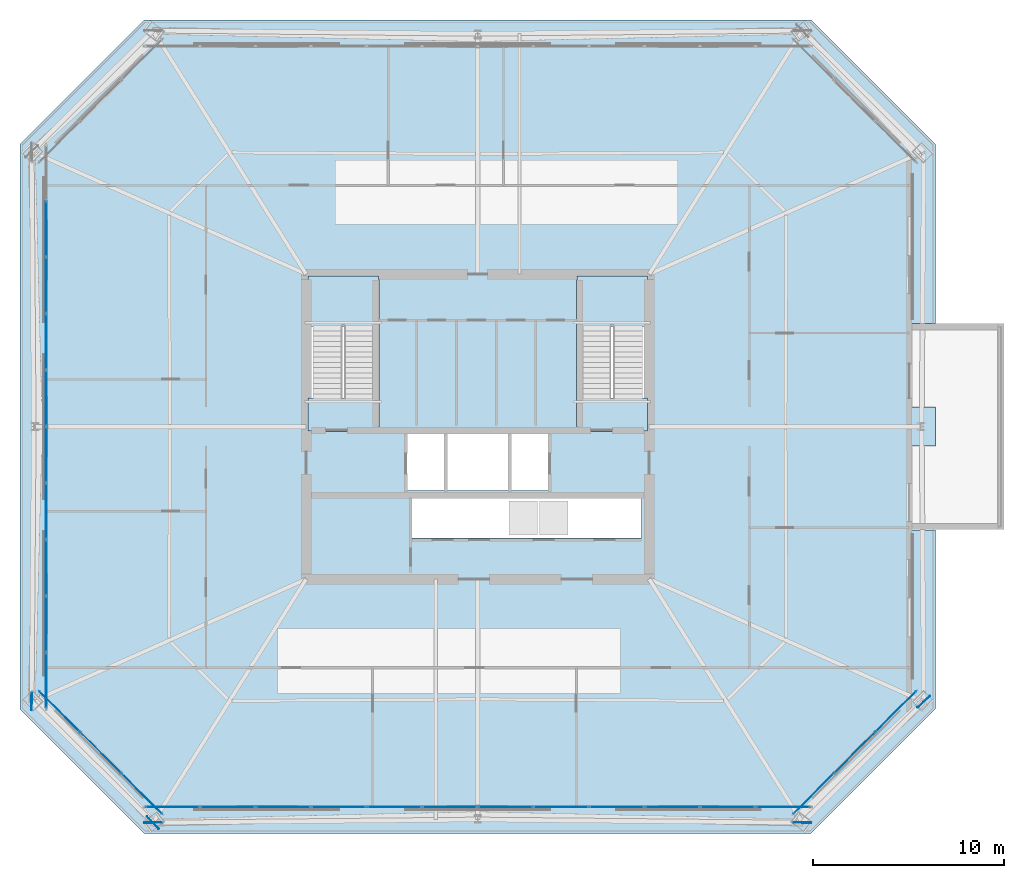
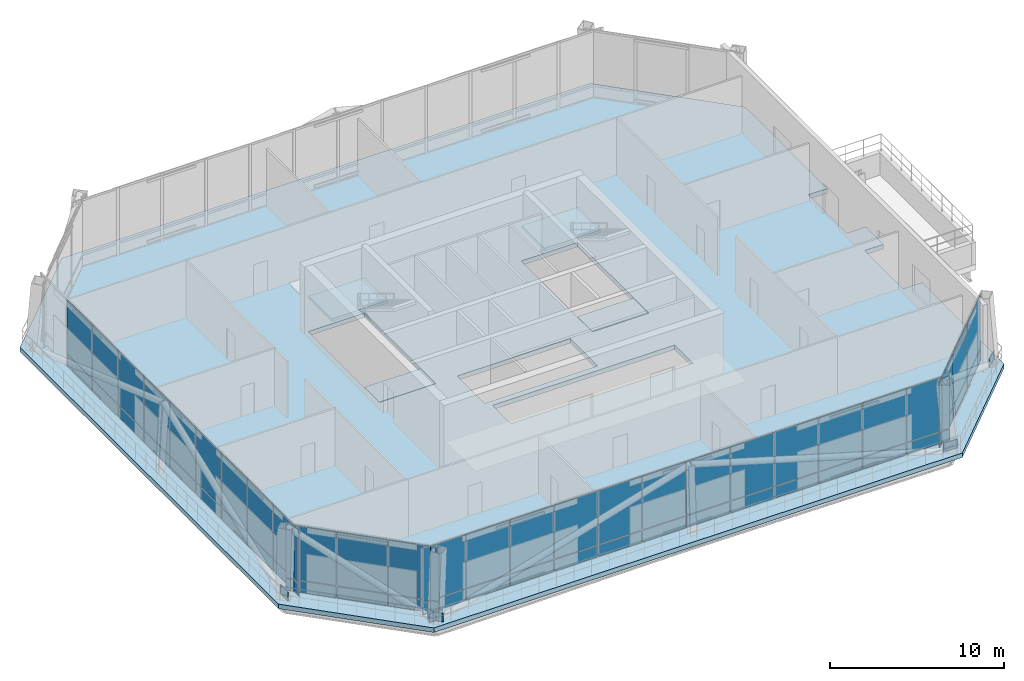
# One storey, part 26 of 34: 59 plates, 5 slabs, 6 elements without a shape of their own.
"""IFC4 building model written with IfcOpenShell, lengths in metres."""

from ifc_helpers import new_model, si_unit, direction, frame, origin, origin_2d, place, context, subcontext, project, spatial, polyline, rectangle, outline, extrude, material, layer, layer_set, type_object, element, aggregate, save


model = new_model("IFC4")

# Units and contexts
model_context = context("Model", 3, precision=1e-05, world=origin(), true_north=direction((0.0, 1.0)))
body_context = subcontext(model_context, "Body", "Model", "MODEL_VIEW")
ifc_project = project(units=[si_unit("LENGTHUNIT", "METRE"), si_unit("AREAUNIT", "SQUARE_METRE"), si_unit("VOLUMEUNIT", "CUBIC_METRE"), si_unit("PLANEANGLEUNIT", "RADIAN"), si_unit("MASSUNIT", "GRAM", prefix="KILO")], contexts=[model_context])

# Site, building, storey
site_placement = place(None, origin())
site = spatial("IfcSite", under=ifc_project, at=site_placement, CompositionType="ELEMENT")
building_placement = place(site_placement, origin())
building = spatial("IfcBuilding", under=site, at=building_placement, Name="Caelvoria Tower", CompositionType="ELEMENT")
storey_placement = place(building_placement, frame((0.0, 0.0, 172.0)))
storey = spatial("IfcBuildingStorey", under=building, at=storey_placement, Name="L45", CompositionType="ELEMENT", Elevation=172.0)

# Curtain wall, plates
ifc_material_1 = material(Name="Anodised Bronze Aluminium and Low-E Glass", Category="aluminium")
ifc_layer_1 = layer(ifc_material_1, 0.2099609375, Name="Anodised Bronze Aluminium and Low-E Glass")
ifc_layer_set_1 = layer_set([ifc_layer_1], Name="CW System 3 Sky Lobby Double-Height Acoustic Facade - Anodised Bronze Aluminium and Low-E Glass")
curtain_wall_type = type_object("IfcCurtainWallType", Name="CW System 3 Sky Lobby Double-Height Acoustic Facade", PredefinedType="NOTDEFINED", material=ifc_layer_set_1)
curtain_wall_1_placement = place(storey_placement, origin())
curtain_wall_1 = element("IfcCurtainWall", 1, at=curtain_wall_1_placement, inside=storey, type_object=curtain_wall_type, Name="CW-03 Curtain Wall L45-E0", PredefinedType="NOTDEFINED")
ifc_material_2 = material(Name="Anodised Bronze Insulated Aluminium Panel", Category="aluminium")
ifc_layer_2 = layer(ifc_material_2, 0.031982421875, Name="Anodised Bronze Insulated Aluminium Panel")
ifc_layer_set_2 = layer_set([ifc_layer_2], Name="Insulated Bronze Spandrel Curtain Panel 32 - Anodised Bronze Insulated Aluminium Panel")
plate_type_1 = type_object("IfcPlateType", Name="Insulated Bronze Spandrel Curtain Panel 32", PredefinedType="CURTAIN_PANEL", material=ifc_layer_set_2)
plate_1_placement = place(storey_placement, frame((29.975830078125, 12.0400390625, 0.06494140625), z_axis=(0.0, 0.0, 1.0), x_axis=(1.0, 0.0, 0.0)))
plate_1 = element("IfcPlate", 2, at=plate_1_placement, type_object=plate_type_1, Name="CW-03 panel 1.1", PredefinedType="CURTAIN_PANEL", context=body_context, shape_type="SweptSolid", body=[
    extrude(rectangle(XDim=2.811767578125, YDim=0.031982421875, at=origin_2d()), origin(), (0.0, 0.0, 1.0), 0.802490234375),
])
plate_2_placement = place(storey_placement, frame((29.975830078125, 12.0400390625, 0.9326171875), z_axis=(0.0, 0.0, 1.0), x_axis=(1.0, 0.0, 0.0)))
plate_2 = element("IfcPlate", 3, at=plate_2_placement, type_object=plate_type_1, Name="CW-03 panel 1.2", PredefinedType="CURTAIN_PANEL", context=body_context, shape_type="SweptSolid", body=[
    extrude(rectangle(XDim=2.811767578125, YDim=0.031982421875, at=origin_2d()), origin(), (0.0, 0.0, 1.0), 3.762451171875),
])
plate_3_placement = place(storey_placement, frame((32.875, 12.0400390625, 0.06494140625), z_axis=(0.0, 0.0, 1.0), x_axis=(1.0, 0.0, 0.0)))
plate_3 = element("IfcPlate", 4, at=plate_3_placement, type_object=plate_type_1, Name="CW-03 panel 2.1", PredefinedType="CURTAIN_PANEL", context=body_context, shape_type="SweptSolid", body=[
    extrude(rectangle(XDim=2.8466796875, YDim=0.031982421875, at=origin_2d()), origin(), (0.0, 0.0, 1.0), 0.802490234375),
])
plate_4_placement = place(storey_placement, frame((32.875, 12.0400390625, 0.9326171875), z_axis=(0.0, 0.0, 1.0), x_axis=(1.0, 0.0, 0.0)))
plate_4 = element("IfcPlate", 5, at=plate_4_placement, type_object=plate_type_1, Name="CW-03 panel 2.2", PredefinedType="CURTAIN_PANEL", context=body_context, shape_type="SweptSolid", body=[
    extrude(rectangle(XDim=2.8466796875, YDim=0.031982421875, at=origin_2d()), origin(), (0.0, 0.0, 1.0), 3.762451171875),
])
plate_5_placement = place(storey_placement, frame((35.791748046875, 12.0400390625, 0.06494140625), z_axis=(0.0, 0.0, 1.0), x_axis=(1.0, 0.0, 0.0)))
plate_5 = element("IfcPlate", 6, at=plate_5_placement, type_object=plate_type_1, Name="CW-03 panel 3.1", PredefinedType="CURTAIN_PANEL", context=body_context, shape_type="SweptSolid", body=[
    extrude(rectangle(XDim=2.8466796875, YDim=0.031982421875, at=origin_2d()), origin(), (0.0, 0.0, 1.0), 0.802490234375),
])
plate_6_placement = place(storey_placement, frame((35.791748046875, 12.0400390625, 0.9326171875), z_axis=(0.0, 0.0, 1.0), x_axis=(1.0, 0.0, 0.0)))
plate_6 = element("IfcPlate", 7, at=plate_6_placement, type_object=plate_type_1, Name="CW-03 panel 3.2", PredefinedType="CURTAIN_PANEL", context=body_context, shape_type="SweptSolid", body=[
    extrude(rectangle(XDim=2.8466796875, YDim=0.031982421875, at=origin_2d()), origin(), (0.0, 0.0, 1.0), 3.762451171875),
])
plate_7_placement = place(storey_placement, frame((38.708251953125, 12.0400390625, 0.06494140625), z_axis=(0.0, 0.0, 1.0), x_axis=(1.0, 0.0, 0.0)))
plate_7 = element("IfcPlate", 8, at=plate_7_placement, type_object=plate_type_1, Name="CW-03 panel 4.1", PredefinedType="CURTAIN_PANEL", context=body_context, shape_type="SweptSolid", body=[
    extrude(rectangle(XDim=2.8466796875, YDim=0.031982421875, at=origin_2d()), origin(), (0.0, 0.0, 1.0), 0.802490234375),
])
plate_8_placement = place(storey_placement, frame((38.708251953125, 12.0400390625, 0.9326171875), z_axis=(0.0, 0.0, 1.0), x_axis=(1.0, 0.0, 0.0)))
plate_8 = element("IfcPlate", 9, at=plate_8_placement, type_object=plate_type_1, Name="CW-03 panel 4.2", PredefinedType="CURTAIN_PANEL", context=body_context, shape_type="SweptSolid", body=[
    extrude(rectangle(XDim=2.8466796875, YDim=0.031982421875, at=origin_2d()), origin(), (0.0, 0.0, 1.0), 3.762451171875),
])
plate_9_placement = place(storey_placement, frame((41.625, 12.0400390625, 0.06494140625), z_axis=(0.0, 0.0, 1.0), x_axis=(1.0, 0.0, 0.0)))
plate_9 = element("IfcPlate", 10, at=plate_9_placement, type_object=plate_type_1, Name="CW-03 panel 5.1", PredefinedType="CURTAIN_PANEL", context=body_context, shape_type="SweptSolid", body=[
    extrude(rectangle(XDim=2.8466796875, YDim=0.031982421875, at=origin_2d()), origin(), (0.0, 0.0, 1.0), 0.802490234375),
])
plate_10_placement = place(storey_placement, frame((41.625, 12.0400390625, 0.9326171875), z_axis=(0.0, 0.0, 1.0), x_axis=(1.0, 0.0, 0.0)))
plate_10 = element("IfcPlate", 11, at=plate_10_placement, type_object=plate_type_1, Name="CW-03 panel 5.2", PredefinedType="CURTAIN_PANEL", context=body_context, shape_type="SweptSolid", body=[
    extrude(rectangle(XDim=2.8466796875, YDim=0.031982421875, at=origin_2d()), origin(), (0.0, 0.0, 1.0), 3.762451171875),
])
plate_11_placement = place(storey_placement, frame((44.541748046875, 12.0400390625, 0.06494140625), z_axis=(0.0, 0.0, 1.0), x_axis=(1.0, 0.0, 0.0)))
plate_11 = element("IfcPlate", 12, at=plate_11_placement, type_object=plate_type_1, Name="CW-03 panel 6.1", PredefinedType="CURTAIN_PANEL", context=body_context, shape_type="SweptSolid", body=[
    extrude(rectangle(XDim=2.8466796875, YDim=0.031982421875, at=origin_2d()), origin(), (0.0, 0.0, 1.0), 0.802490234375),
])
plate_12_placement = place(storey_placement, frame((44.541748046875, 12.0400390625, 0.9326171875), z_axis=(0.0, 0.0, 1.0), x_axis=(1.0, 0.0, 0.0)))
plate_12 = element("IfcPlate", 13, at=plate_12_placement, type_object=plate_type_1, Name="CW-03 panel 6.2", PredefinedType="CURTAIN_PANEL", context=body_context, shape_type="SweptSolid", body=[
    extrude(rectangle(XDim=2.8466796875, YDim=0.031982421875, at=origin_2d()), origin(), (0.0, 0.0, 1.0), 3.762451171875),
])
plate_13_placement = place(storey_placement, frame((47.458251953125, 12.0400390625, 0.06494140625), z_axis=(0.0, 0.0, 1.0), x_axis=(1.0, 0.0, 0.0)))
plate_13 = element("IfcPlate", 14, at=plate_13_placement, type_object=plate_type_1, Name="CW-03 panel 7.1", PredefinedType="CURTAIN_PANEL", context=body_context, shape_type="SweptSolid", body=[
    extrude(rectangle(XDim=2.8466796875, YDim=0.031982421875, at=origin_2d()), origin(), (0.0, 0.0, 1.0), 0.802490234375),
])
plate_14_placement = place(storey_placement, frame((47.458251953125, 12.0400390625, 0.9326171875), z_axis=(0.0, 0.0, 1.0), x_axis=(1.0, 0.0, 0.0)))
plate_14 = element("IfcPlate", 15, at=plate_14_placement, type_object=plate_type_1, Name="CW-03 panel 7.2", PredefinedType="CURTAIN_PANEL", context=body_context, shape_type="SweptSolid", body=[
    extrude(rectangle(XDim=2.8466796875, YDim=0.031982421875, at=origin_2d()), origin(), (0.0, 0.0, 1.0), 3.762451171875),
])
plate_15_placement = place(storey_placement, frame((50.375, 12.0400390625, 0.06494140625), z_axis=(0.0, 0.0, 1.0), x_axis=(1.0, 0.0, 0.0)))
plate_15 = element("IfcPlate", 16, at=plate_15_placement, type_object=plate_type_1, Name="CW-03 panel 8.1", PredefinedType="CURTAIN_PANEL", context=body_context, shape_type="SweptSolid", body=[
    extrude(rectangle(XDim=2.8466796875, YDim=0.031982421875, at=origin_2d()), origin(), (0.0, 0.0, 1.0), 0.802490234375),
])
plate_16_placement = place(storey_placement, frame((50.375, 12.0400390625, 0.9326171875), z_axis=(0.0, 0.0, 1.0), x_axis=(1.0, 0.0, 0.0)))
plate_16 = element("IfcPlate", 17, at=plate_16_placement, type_object=plate_type_1, Name="CW-03 panel 8.2", PredefinedType="CURTAIN_PANEL", context=body_context, shape_type="SweptSolid", body=[
    extrude(rectangle(XDim=2.8466796875, YDim=0.031982421875, at=origin_2d()), origin(), (0.0, 0.0, 1.0), 3.762451171875),
])
plate_17_placement = place(storey_placement, frame((53.291748046875, 12.0400390625, 0.06494140625), z_axis=(0.0, 0.0, 1.0), x_axis=(1.0, 0.0, 0.0)))
plate_17 = element("IfcPlate", 18, at=plate_17_placement, type_object=plate_type_1, Name="CW-03 panel 9.1", PredefinedType="CURTAIN_PANEL", context=body_context, shape_type="SweptSolid", body=[
    extrude(rectangle(XDim=2.8466796875, YDim=0.031982421875, at=origin_2d()), origin(), (0.0, 0.0, 1.0), 0.802490234375),
])
plate_18_placement = place(storey_placement, frame((53.291748046875, 12.0400390625, 0.9326171875), z_axis=(0.0, 0.0, 1.0), x_axis=(1.0, 0.0, 0.0)))
plate_18 = element("IfcPlate", 19, at=plate_18_placement, type_object=plate_type_1, Name="CW-03 panel 9.2", PredefinedType="CURTAIN_PANEL", context=body_context, shape_type="SweptSolid", body=[
    extrude(rectangle(XDim=2.8466796875, YDim=0.031982421875, at=origin_2d()), origin(), (0.0, 0.0, 1.0), 3.762451171875),
])
plate_19_placement = place(storey_placement, frame((56.208251953125, 12.0400390625, 0.06494140625), z_axis=(0.0, 0.0, 1.0), x_axis=(1.0, 0.0, 0.0)))
plate_19 = element("IfcPlate", 20, at=plate_19_placement, type_object=plate_type_1, Name="CW-03 panel 10.1", PredefinedType="CURTAIN_PANEL", context=body_context, shape_type="SweptSolid", body=[
    extrude(rectangle(XDim=2.8466796875, YDim=0.031982421875, at=origin_2d()), origin(), (0.0, 0.0, 1.0), 0.802490234375),
])
plate_20_placement = place(storey_placement, frame((56.208251953125, 12.0400390625, 0.9326171875), z_axis=(0.0, 0.0, 1.0), x_axis=(1.0, 0.0, 0.0)))
plate_20 = element("IfcPlate", 21, at=plate_20_placement, type_object=plate_type_1, Name="CW-03 panel 10.2", PredefinedType="CURTAIN_PANEL", context=body_context, shape_type="SweptSolid", body=[
    extrude(rectangle(XDim=2.8466796875, YDim=0.031982421875, at=origin_2d()), origin(), (0.0, 0.0, 1.0), 3.762451171875),
])
plate_21_placement = place(storey_placement, frame((59.125, 12.0400390625, 0.06494140625), z_axis=(0.0, 0.0, 1.0), x_axis=(1.0, 0.0, 0.0)))
plate_21 = element("IfcPlate", 22, at=plate_21_placement, type_object=plate_type_1, Name="CW-03 panel 11.1", PredefinedType="CURTAIN_PANEL", context=body_context, shape_type="SweptSolid", body=[
    extrude(rectangle(XDim=2.8466796875, YDim=0.031982421875, at=origin_2d()), origin(), (0.0, 0.0, 1.0), 0.802490234375),
])
plate_22_placement = place(storey_placement, frame((59.125, 12.0400390625, 0.9326171875), z_axis=(0.0, 0.0, 1.0), x_axis=(1.0, 0.0, 0.0)))
plate_22 = element("IfcPlate", 23, at=plate_22_placement, type_object=plate_type_1, Name="CW-03 panel 11.2", PredefinedType="CURTAIN_PANEL", context=body_context, shape_type="SweptSolid", body=[
    extrude(rectangle(XDim=2.8466796875, YDim=0.031982421875, at=origin_2d()), origin(), (0.0, 0.0, 1.0), 3.762451171875),
])
plate_23_placement = place(storey_placement, frame((62.024169921875, 12.0400390625, 0.06494140625), z_axis=(0.0, 0.0, 1.0), x_axis=(1.0, 0.0, 0.0)))
plate_23 = element("IfcPlate", 24, at=plate_23_placement, type_object=plate_type_1, Name="CW-03 panel 12.1", PredefinedType="CURTAIN_PANEL", context=body_context, shape_type="SweptSolid", body=[
    extrude(rectangle(XDim=2.811767578125, YDim=0.031982421875, at=origin_2d()), origin(), (0.0, 0.0, 1.0), 0.802490234375),
])
plate_24_placement = place(storey_placement, frame((62.024169921875, 12.0400390625, 0.9326171875), z_axis=(0.0, 0.0, 1.0), x_axis=(1.0, 0.0, 0.0)))
plate_24 = element("IfcPlate", 25, at=plate_24_placement, type_object=plate_type_1, Name="CW-03 panel 12.2", PredefinedType="CURTAIN_PANEL", context=body_context, shape_type="SweptSolid", body=[
    extrude(rectangle(XDim=2.811767578125, YDim=0.031982421875, at=origin_2d()), origin(), (0.0, 0.0, 1.0), 3.762451171875),
])
aggregate(curtain_wall_1, [plate_1, plate_2, plate_3, plate_4, plate_5, plate_6, plate_7, plate_8, plate_9, plate_10, plate_11, plate_12, plate_13, plate_14, plate_15, plate_16, plate_17, plate_18, plate_19, plate_20, plate_21, plate_22, plate_23, plate_24])

curtain_wall_2_placement = place(storey_placement, origin())
curtain_wall_2 = element("IfcCurtainWall", 26, at=curtain_wall_2_placement, inside=storey, type_object=curtain_wall_type, Name="CW-03 Curtain Wall L45-E1", PredefinedType="NOTDEFINED")
plate_25_placement = place(storey_placement, frame((63.623291015625, 12.73486328125, 0.06494140625), z_axis=(0.0, 0.0, 1.0), x_axis=(0.707106781187, 0.707106781187, 0.0)))
plate_25 = element("IfcPlate", 27, at=plate_25_placement, type_object=plate_type_1, Name="CW-03 panel 1.1", PredefinedType="CURTAIN_PANEL", context=body_context, shape_type="SweptSolid", body=[
    extrude(rectangle(XDim=2.968505859375, YDim=0.031982421875, at=origin_2d()), origin(), (0.0, 0.0, 1.0), 0.802490234375),
])
plate_26_placement = place(storey_placement, frame((63.623291015625, 12.73486328125, 0.9326171875), z_axis=(0.0, 0.0, 1.0), x_axis=(0.707106781187, 0.707106781187, 0.0)))
plate_26 = element("IfcPlate", 28, at=plate_26_placement, type_object=plate_type_1, Name="CW-03 panel 1.2", PredefinedType="CURTAIN_PANEL", context=body_context, shape_type="SweptSolid", body=[
    extrude(rectangle(XDim=2.968505859375, YDim=0.031982421875, at=origin_2d()), origin(), (0.0, 0.0, 1.0), 3.762451171875),
])
plate_27_placement = place(storey_placement, frame((65.7841796875, 14.895751953125, 0.06494140625), z_axis=(0.0, 0.0, 1.0), x_axis=(0.707106781187, 0.707106781187, 0.0)))
plate_27 = element("IfcPlate", 29, at=plate_27_placement, type_object=plate_type_1, Name="CW-03 panel 2.1", PredefinedType="CURTAIN_PANEL", context=body_context, shape_type="SweptSolid", body=[
    extrude(rectangle(XDim=3.003662109375, YDim=0.031982421875, at=origin_2d()), origin(), (0.0, 0.0, 1.0), 0.802490234375),
])
plate_28_placement = place(storey_placement, frame((65.7841796875, 14.895751953125, 0.9326171875), z_axis=(0.0, 0.0, 1.0), x_axis=(0.707106781187, 0.707106781187, 0.0)))
plate_28 = element("IfcPlate", 30, at=plate_28_placement, type_object=plate_type_1, Name="CW-03 panel 2.2", PredefinedType="CURTAIN_PANEL", context=body_context, shape_type="SweptSolid", body=[
    extrude(rectangle(XDim=3.003662109375, YDim=0.031982421875, at=origin_2d()), origin(), (0.0, 0.0, 1.0), 3.762451171875),
])
plate_29_placement = place(storey_placement, frame((67.945068359375, 17.056640625, 0.06494140625), z_axis=(0.0, 0.0, 1.0), x_axis=(0.707106781187, 0.707106781187, 0.0)))
plate_29 = element("IfcPlate", 31, at=plate_29_placement, type_object=plate_type_1, Name="CW-03 panel 3.1", PredefinedType="CURTAIN_PANEL", context=body_context, shape_type="SweptSolid", body=[
    extrude(rectangle(XDim=2.968505859375, YDim=0.031982421875, at=origin_2d()), origin(), (0.0, 0.0, 1.0), 0.802490234375),
])
plate_30_placement = place(storey_placement, frame((67.945068359375, 17.056640625, 0.9326171875), z_axis=(0.0, 0.0, 1.0), x_axis=(0.707106781187, 0.707106781187, 0.0)))
plate_30 = element("IfcPlate", 32, at=plate_30_placement, type_object=plate_type_1, Name="CW-03 panel 3.2", PredefinedType="CURTAIN_PANEL", context=body_context, shape_type="SweptSolid", body=[
    extrude(rectangle(XDim=2.968505859375, YDim=0.031982421875, at=origin_2d()), origin(), (0.0, 0.0, 1.0), 3.762451171875),
])
aggregate(curtain_wall_2, [plate_25, plate_26, plate_27, plate_28, plate_29, plate_30])

curtain_wall_3_placement = place(storey_placement, origin())
curtain_wall_3 = element("IfcCurtainWall", 33, at=curtain_wall_3_placement, inside=storey, type_object=curtain_wall_type, Name="CW-03 Curtain Wall L45-E6", PredefinedType="NOTDEFINED")
plate_31_placement = place(storey_placement, frame((23.360107421875, 42.3740234375, 0.06494140625), z_axis=(0.0, 0.0, 1.0), x_axis=(0.0, -1.0, 0.0)))
plate_31 = element("IfcPlate", 34, at=plate_31_placement, type_object=plate_type_1, Name="CW-03 panel 2.1", PredefinedType="CURTAIN_PANEL", context=body_context, shape_type="SweptSolid", body=[
    extrude(rectangle(XDim=2.89404296875, YDim=0.031982421875, at=origin_2d()), origin(), (0.0, 0.0, 1.0), 0.802490234375),
])
plate_32_placement = place(storey_placement, frame((23.360107421875, 42.3740234375, 0.9326171875), z_axis=(0.0, 0.0, 1.0), x_axis=(0.0, -1.0, 0.0)))
plate_32 = element("IfcPlate", 35, at=plate_32_placement, type_object=plate_type_1, Name="CW-03 panel 2.2", PredefinedType="CURTAIN_PANEL", context=body_context, shape_type="SweptSolid", body=[
    extrude(rectangle(XDim=2.89404296875, YDim=0.031982421875, at=origin_2d()), origin(), (0.0, 0.0, 1.0), 3.762451171875),
])
plate_33_placement = place(storey_placement, frame((23.360107421875, 39.409912109375, 0.06494140625), z_axis=(0.0, 0.0, 1.0), x_axis=(0.0, -1.0, 0.0)))
plate_33 = element("IfcPlate", 36, at=plate_33_placement, type_object=plate_type_1, Name="CW-03 panel 3.1", PredefinedType="CURTAIN_PANEL", context=body_context, shape_type="SweptSolid", body=[
    extrude(rectangle(XDim=2.89404296875, YDim=0.031982421875, at=origin_2d()), origin(), (0.0, 0.0, 1.0), 0.802490234375),
])
plate_34_placement = place(storey_placement, frame((23.360107421875, 39.409912109375, 0.9326171875), z_axis=(0.0, 0.0, 1.0), x_axis=(0.0, -1.0, 0.0)))
plate_34 = element("IfcPlate", 37, at=plate_34_placement, type_object=plate_type_1, Name="CW-03 panel 3.2", PredefinedType="CURTAIN_PANEL", context=body_context, shape_type="SweptSolid", body=[
    extrude(rectangle(XDim=2.89404296875, YDim=0.031982421875, at=origin_2d()), origin(), (0.0, 0.0, 1.0), 3.762451171875),
])
plate_35_placement = place(storey_placement, frame((23.360107421875, 36.446044921875, 0.06494140625), z_axis=(0.0, 0.0, 1.0), x_axis=(0.0, -1.0, 0.0)))
plate_35 = element("IfcPlate", 38, at=plate_35_placement, type_object=plate_type_1, Name="CW-03 panel 4.1", PredefinedType="CURTAIN_PANEL", context=body_context, shape_type="SweptSolid", body=[
    extrude(rectangle(XDim=2.89404296875, YDim=0.031982421875, at=origin_2d()), origin(), (0.0, 0.0, 1.0), 0.802490234375),
])
plate_36_placement = place(storey_placement, frame((23.360107421875, 36.446044921875, 0.9326171875), z_axis=(0.0, 0.0, 1.0), x_axis=(0.0, -1.0, 0.0)))
plate_36 = element("IfcPlate", 39, at=plate_36_placement, type_object=plate_type_1, Name="CW-03 panel 4.2", PredefinedType="CURTAIN_PANEL", context=body_context, shape_type="SweptSolid", body=[
    extrude(rectangle(XDim=2.89404296875, YDim=0.031982421875, at=origin_2d()), origin(), (0.0, 0.0, 1.0), 3.762451171875),
])
plate_37_placement = place(storey_placement, frame((23.360107421875, 33.48193359375, 0.06494140625), z_axis=(0.0, 0.0, 1.0), x_axis=(0.0, -1.0, 0.0)))
plate_37 = element("IfcPlate", 40, at=plate_37_placement, type_object=plate_type_1, Name="CW-03 panel 5.1", PredefinedType="CURTAIN_PANEL", context=body_context, shape_type="SweptSolid", body=[
    extrude(rectangle(XDim=2.89404296875, YDim=0.031982421875, at=origin_2d()), origin(), (0.0, 0.0, 1.0), 0.802490234375),
])
plate_38_placement = place(storey_placement, frame((23.360107421875, 33.48193359375, 0.9326171875), z_axis=(0.0, 0.0, 1.0), x_axis=(0.0, -1.0, 0.0)))
plate_38 = element("IfcPlate", 41, at=plate_38_placement, type_object=plate_type_1, Name="CW-03 panel 5.2", PredefinedType="CURTAIN_PANEL", context=body_context, shape_type="SweptSolid", body=[
    extrude(rectangle(XDim=2.89404296875, YDim=0.031982421875, at=origin_2d()), origin(), (0.0, 0.0, 1.0), 3.762451171875),
])
plate_39_placement = place(storey_placement, frame((23.360107421875, 30.51806640625, 0.06494140625), z_axis=(0.0, 0.0, 1.0), x_axis=(0.0, -1.0, 0.0)))
plate_39 = element("IfcPlate", 42, at=plate_39_placement, type_object=plate_type_1, Name="CW-03 panel 6.1", PredefinedType="CURTAIN_PANEL", context=body_context, shape_type="SweptSolid", body=[
    extrude(rectangle(XDim=2.89404296875, YDim=0.031982421875, at=origin_2d()), origin(), (0.0, 0.0, 1.0), 0.802490234375),
])
plate_40_placement = place(storey_placement, frame((23.360107421875, 30.51806640625, 0.9326171875), z_axis=(0.0, 0.0, 1.0), x_axis=(0.0, -1.0, 0.0)))
plate_40 = element("IfcPlate", 43, at=plate_40_placement, type_object=plate_type_1, Name="CW-03 panel 6.2", PredefinedType="CURTAIN_PANEL", context=body_context, shape_type="SweptSolid", body=[
    extrude(rectangle(XDim=2.89404296875, YDim=0.031982421875, at=origin_2d()), origin(), (0.0, 0.0, 1.0), 3.762451171875),
])
plate_41_placement = place(storey_placement, frame((23.360107421875, 27.553955078125, 0.06494140625), z_axis=(0.0, 0.0, 1.0), x_axis=(0.0, -1.0, 0.0)))
plate_41 = element("IfcPlate", 44, at=plate_41_placement, type_object=plate_type_1, Name="CW-03 panel 7.1", PredefinedType="CURTAIN_PANEL", context=body_context, shape_type="SweptSolid", body=[
    extrude(rectangle(XDim=2.89404296875, YDim=0.031982421875, at=origin_2d()), origin(), (0.0, 0.0, 1.0), 0.802490234375),
])
plate_42_placement = place(storey_placement, frame((23.360107421875, 27.553955078125, 0.9326171875), z_axis=(0.0, 0.0, 1.0), x_axis=(0.0, -1.0, 0.0)))
plate_42 = element("IfcPlate", 45, at=plate_42_placement, type_object=plate_type_1, Name="CW-03 panel 7.2", PredefinedType="CURTAIN_PANEL", context=body_context, shape_type="SweptSolid", body=[
    extrude(rectangle(XDim=2.89404296875, YDim=0.031982421875, at=origin_2d()), origin(), (0.0, 0.0, 1.0), 3.762451171875),
])
plate_43_placement = place(storey_placement, frame((23.360107421875, 24.590087890625, 0.06494140625), z_axis=(0.0, 0.0, 1.0), x_axis=(0.0, -1.0, 0.0)))
plate_43 = element("IfcPlate", 46, at=plate_43_placement, type_object=plate_type_1, Name="CW-03 panel 8.1", PredefinedType="CURTAIN_PANEL", context=body_context, shape_type="SweptSolid", body=[
    extrude(rectangle(XDim=2.89404296875, YDim=0.031982421875, at=origin_2d()), origin(), (0.0, 0.0, 1.0), 0.802490234375),
])
plate_44_placement = place(storey_placement, frame((23.360107421875, 24.590087890625, 0.9326171875), z_axis=(0.0, 0.0, 1.0), x_axis=(0.0, -1.0, 0.0)))
plate_44 = element("IfcPlate", 47, at=plate_44_placement, type_object=plate_type_1, Name="CW-03 panel 8.2", PredefinedType="CURTAIN_PANEL", context=body_context, shape_type="SweptSolid", body=[
    extrude(rectangle(XDim=2.89404296875, YDim=0.031982421875, at=origin_2d()), origin(), (0.0, 0.0, 1.0), 3.762451171875),
])
plate_45_placement = place(storey_placement, frame((23.360107421875, 21.6259765625, 0.06494140625), z_axis=(0.0, 0.0, 1.0), x_axis=(0.0, -1.0, 0.0)))
plate_45 = element("IfcPlate", 48, at=plate_45_placement, type_object=plate_type_1, Name="CW-03 panel 9.1", PredefinedType="CURTAIN_PANEL", context=body_context, shape_type="SweptSolid", body=[
    extrude(rectangle(XDim=2.89404296875, YDim=0.031982421875, at=origin_2d()), origin(), (0.0, 0.0, 1.0), 0.802490234375),
])
plate_46_placement = place(storey_placement, frame((23.360107421875, 21.6259765625, 0.9326171875), z_axis=(0.0, 0.0, 1.0), x_axis=(0.0, -1.0, 0.0)))
plate_46 = element("IfcPlate", 49, at=plate_46_placement, type_object=plate_type_1, Name="CW-03 panel 9.2", PredefinedType="CURTAIN_PANEL", context=body_context, shape_type="SweptSolid", body=[
    extrude(rectangle(XDim=2.89404296875, YDim=0.031982421875, at=origin_2d()), origin(), (0.0, 0.0, 1.0), 3.762451171875),
])
plate_47_placement = place(storey_placement, frame((23.360107421875, 18.679443359375, 0.06494140625), z_axis=(0.0, 0.0, 1.0), x_axis=(0.0, -1.0, 0.0)))
plate_47 = element("IfcPlate", 50, at=plate_47_placement, type_object=plate_type_1, Name="CW-03 panel 10.1", PredefinedType="CURTAIN_PANEL", context=body_context, shape_type="SweptSolid", body=[
    extrude(rectangle(XDim=2.85888671875, YDim=0.031982421875, at=origin_2d()), origin(), (0.0, 0.0, 1.0), 0.802490234375),
])
plate_48_placement = place(storey_placement, frame((23.360107421875, 18.679443359375, 0.9326171875), z_axis=(0.0, 0.0, 1.0), x_axis=(0.0, -1.0, 0.0)))
plate_48 = element("IfcPlate", 51, at=plate_48_placement, type_object=plate_type_1, Name="CW-03 panel 10.2", PredefinedType="CURTAIN_PANEL", context=body_context, shape_type="SweptSolid", body=[
    extrude(rectangle(XDim=2.85888671875, YDim=0.031982421875, at=origin_2d()), origin(), (0.0, 0.0, 1.0), 3.762451171875),
])
aggregate(curtain_wall_3, [plate_31, plate_32, plate_33, plate_34, plate_35, plate_36, plate_37, plate_38, plate_39, plate_40, plate_41, plate_42, plate_43, plate_44, plate_45, plate_46, plate_47, plate_48])

curtain_wall_4_placement = place(storey_placement, origin())
curtain_wall_4 = element("IfcCurtainWall", 52, at=curtain_wall_4_placement, inside=storey, type_object=curtain_wall_type, Name="CW-03 Curtain Wall L45-E7", PredefinedType="NOTDEFINED")
plate_49_placement = place(storey_placement, frame((24.054931640625, 17.056640625, 0.06494140625), z_axis=(0.0, 0.0, 1.0), x_axis=(0.707106781187, -0.707106781187, 0.0)))
plate_49 = element("IfcPlate", 53, at=plate_49_placement, type_object=plate_type_1, Name="CW-03 panel 1.1", PredefinedType="CURTAIN_PANEL", context=body_context, shape_type="SweptSolid", body=[
    extrude(rectangle(XDim=2.968505859375, YDim=0.031982421875, at=origin_2d()), origin(), (0.0, 0.0, 1.0), 0.802490234375),
])
plate_50_placement = place(storey_placement, frame((24.054931640625, 17.056640625, 0.9326171875), z_axis=(0.0, 0.0, 1.0), x_axis=(0.707106781187, -0.707106781187, 0.0)))
plate_50 = element("IfcPlate", 54, at=plate_50_placement, type_object=plate_type_1, Name="CW-03 panel 1.2", PredefinedType="CURTAIN_PANEL", context=body_context, shape_type="SweptSolid", body=[
    extrude(rectangle(XDim=2.968505859375, YDim=0.031982421875, at=origin_2d()), origin(), (0.0, 0.0, 1.0), 3.762451171875),
])
plate_51_placement = place(storey_placement, frame((26.2158203125, 14.895751953125, 0.06494140625), z_axis=(0.0, 0.0, 1.0), x_axis=(0.707106781187, -0.707106781187, 0.0)))
plate_51 = element("IfcPlate", 55, at=plate_51_placement, type_object=plate_type_1, Name="CW-03 panel 2.1", PredefinedType="CURTAIN_PANEL", context=body_context, shape_type="SweptSolid", body=[
    extrude(rectangle(XDim=3.003662109375, YDim=0.031982421875, at=origin_2d()), origin(), (0.0, 0.0, 1.0), 0.802490234375),
])
plate_52_placement = place(storey_placement, frame((26.2158203125, 14.895751953125, 0.9326171875), z_axis=(0.0, 0.0, 1.0), x_axis=(0.707106781187, -0.707106781187, 0.0)))
plate_52 = element("IfcPlate", 56, at=plate_52_placement, type_object=plate_type_1, Name="CW-03 panel 2.2", PredefinedType="CURTAIN_PANEL", context=body_context, shape_type="SweptSolid", body=[
    extrude(rectangle(XDim=3.003662109375, YDim=0.031982421875, at=origin_2d()), origin(), (0.0, 0.0, 1.0), 3.762451171875),
])
plate_53_placement = place(storey_placement, frame((28.376708984375, 12.73486328125, 0.06494140625), z_axis=(0.0, 0.0, 1.0), x_axis=(0.707106781187, -0.707106781187, 0.0)))
plate_53 = element("IfcPlate", 57, at=plate_53_placement, type_object=plate_type_1, Name="CW-03 panel 3.1", PredefinedType="CURTAIN_PANEL", context=body_context, shape_type="SweptSolid", body=[
    extrude(rectangle(XDim=2.968505859375, YDim=0.031982421875, at=origin_2d()), origin(), (0.0, 0.0, 1.0), 0.802490234375),
])
plate_54_placement = place(storey_placement, frame((28.376708984375, 12.73486328125, 0.9326171875), z_axis=(0.0, 0.0, 1.0), x_axis=(0.707106781187, -0.707106781187, 0.0)))
plate_54 = element("IfcPlate", 58, at=plate_54_placement, type_object=plate_type_1, Name="CW-03 panel 3.2", PredefinedType="CURTAIN_PANEL", context=body_context, shape_type="SweptSolid", body=[
    extrude(rectangle(XDim=2.968505859375, YDim=0.031982421875, at=origin_2d()), origin(), (0.0, 0.0, 1.0), 3.762451171875),
])
aggregate(curtain_wall_4, [plate_49, plate_50, plate_51, plate_52, plate_53, plate_54])

# Plates
ifc_material_3 = material(Name="Structural Steel ASTM A572 Gr.50", Category="steel")
ifc_layer_3 = layer(ifc_material_3, 0.0400390625, Name="Structural Steel ASTM A572 Gr.50")
ifc_layer_set_3 = layer_set([ifc_layer_3], Name="Megaframe Node Gusset Plate 900x600x40 - Structural Steel ASTM A572 Gr.50")
plate_type_2 = type_object("IfcPlateType", Name="Megaframe Node Gusset Plate 900x600x40", PredefinedType="USERDEFINED", material=ifc_layer_set_3)
for number, where, z_axis, x_axis, name in (
    (59, (69.4072265625, 17.55810546875, 0.02001953125), (0.0, 0.0, 1.0), (-0.73643486763, -0.676508452082, 0.0), "Chamfer Mega Brace Gusset L45 SE"),
    (60, (28.95654296875, 11.216796875, 0.02001953125), (0.0, 0.0, 1.0), (-0.678931461501, 0.734201655259, 0.0), "Chamfer Mega Brace Gusset L45 SW"),
    (61, (28.95654296875, 11.216796875, 0.050048828125), (0.0, 0.0, 1.0), (0.999747221312, 0.022483182139, 0.0), "Megaframe Node Gusset Plate ND-04"),
    (62, (63.04345703125, 11.216796875, 0.050048828125), (0.0, 0.0, 1.0), (-0.999747221312, 0.022483182139, 0.0), "Megaframe Node Gusset Plate ND-04"),
    (63, (22.5927734375, 17.55810546875, 0.050048828125), (0.0, 0.0, 1.0), (0.025417982777, 0.999676910882, 0.0), "Megaframe Node Gusset Plate ND-04"),
):
    element("IfcPlate", number, at=place(storey_placement, frame(where, z_axis=z_axis, x_axis=x_axis)), inside=storey, type_object=plate_type_2, Name=name, ObjectType="GUSSET_PLATE", PredefinedType="USERDEFINED", context=body_context, shape_type="SweptSolid", body=[
        extrude(rectangle(XDim=0.89990234375, YDim=0.0400390625, at=origin_2d()), origin(), (0.0, 0.0, 1.0), 0.60009765625),
    ])

# Slab
ifc_material_4 = material(Name="Concrete C50/60", Category="concrete")
ifc_layer_4 = layer(ifc_material_4, 0.320068359375, Name="Concrete C50/60")
ifc_layer_set_4 = layer_set([ifc_layer_4], Name="Plant and Sky Lobby Heavy Slab 320 - Concrete C50/60")
slab_type_1 = type_object("IfcSlabType", Name="Plant and Sky Lobby Heavy Slab 320", PredefinedType="FLOOR", material=ifc_layer_set_4)
slab_1_placement = place(storey_placement, frame((0.0, 0.0, -0.320068359375)))
element("IfcSlab", 64, at=slab_1_placement, inside=storey, type_object=slab_type_1, Name="Level L45 Structural Floor Slab", PredefinedType="FLOOR", context=body_context, shape_type="SweptSolid", body=[
    extrude(outline(polyline([(70.02001953125, 17.179931640625), (70.02001953125, 26.580078125), (68.760009765625, 26.580078125), (68.760009765625, 30.97998046875), (70.02001953125, 30.97998046875), (70.02001953125, 33.02001953125), (68.760009765625, 33.02001953125), (68.760009765625, 37.419921875), (70.02001953125, 37.419921875), (70.02001953125, 46.820068359375), (63.5, 53.340087890625), (28.5, 53.340087890625), (21.97998046875, 46.820068359375), (21.97998046875, 17.179931640625), (28.5, 10.659912109375), (63.5, 10.659912109375), (70.02001953125, 17.179931640625)]), holes=[polyline([(37.080078125, 31.75), (40.820068359375, 31.75), (40.820068359375, 39.919921875), (37.080078125, 39.919921875), (37.080078125, 31.75)]), polyline([(51.179931640625, 31.75), (54.919921875, 31.75), (54.919921875, 39.919921875), (51.179931640625, 39.919921875), (51.179931640625, 31.75)]), polyline([(42.25, 28.64990234375), (49.75, 28.64990234375), (49.75, 31.800048828125), (42.25, 31.800048828125), (42.25, 28.64990234375)]), polyline([(42.550048828125, 26.14990234375), (54.60009765625, 26.14990234375), (54.60009765625, 28.25), (42.550048828125, 28.25), (42.550048828125, 26.14990234375)])]), origin(), (0.0, 0.0, 1.0), 0.320068359375),
])

# Stair, slabs
ifc_material_5 = material(Name="Concrete C40/50", Category="concrete")
stair_type = type_object("IfcStairType", Name="Core Smokeproof Dogleg Stair Concrete C40/50", PredefinedType="HALF_TURN_STAIR", material=ifc_material_5)
stair_1_placement = place(storey_placement, origin())
stair_1 = element("IfcStair", 65, at=stair_1_placement, inside=storey, type_object=stair_type, Name="ST-01 Smokeproof Exit Stair L45", PredefinedType="HALF_TURN_STAIR")
ifc_layer_5 = layer(ifc_material_5, 0.199951171875, Name="Concrete C40/50")
ifc_layer_set_5 = layer_set([ifc_layer_5], Name="Stair Half and Floor Landing Slab 200 Concrete C40/50 - Concrete C40/50")
slab_type_2 = type_object("IfcSlabType", Name="Stair Half and Floor Landing Slab 200 Concrete C40/50", PredefinedType="LANDING", material=ifc_layer_set_5)
slab_2_placement = place(storey_placement, frame((0.0, 0.0, -0.199951171875)))
slab_2 = element("IfcSlab", 66, at=slab_2_placement, type_object=slab_type_2, Name="ST-01 landing 1", PredefinedType="LANDING", context=body_context, shape_type="SweptSolid", body=[
    extrude(outline(polyline([(37.10009765625, 31.77001953125), (40.800048828125, 31.77001953125), (40.800048828125, 33.5), (37.10009765625, 33.5), (37.10009765625, 31.77001953125)])), origin(), (0.0, 0.0, 1.0), 0.199951171875),
])
slab_3_placement = place(storey_placement, frame((0.0, 0.0, 2.300048828125)))
slab_3 = element("IfcSlab", 67, at=slab_3_placement, type_object=slab_type_2, Name="ST-01 landing 2", PredefinedType="LANDING", context=body_context, shape_type="SweptSolid", body=[
    extrude(outline(polyline([(37.10009765625, 37.25), (40.800048828125, 37.25), (40.800048828125, 39.89990234375), (37.10009765625, 39.89990234375), (37.10009765625, 37.25)])), origin(), (0.0, 0.0, 1.0), 0.199951171875),
])
aggregate(stair_1, [slab_2, slab_3])

stair_2_placement = place(storey_placement, origin())
stair_2 = element("IfcStair", 68, at=stair_2_placement, inside=storey, type_object=stair_type, Name="ST-02 Smokeproof Exit Stair L45", PredefinedType="HALF_TURN_STAIR")
slab_4_placement = place(storey_placement, frame((0.0, 0.0, -0.199951171875)))
slab_4 = element("IfcSlab", 69, at=slab_4_placement, type_object=slab_type_2, Name="ST-02 landing 1", PredefinedType="LANDING", context=body_context, shape_type="SweptSolid", body=[
    extrude(outline(polyline([(51.199951171875, 31.77001953125), (54.89990234375, 31.77001953125), (54.89990234375, 33.5), (51.199951171875, 33.5), (51.199951171875, 31.77001953125)])), origin(), (0.0, 0.0, 1.0), 0.199951171875),
])
slab_5_placement = place(storey_placement, frame((0.0, 0.0, 2.300048828125)))
slab_5 = element("IfcSlab", 70, at=slab_5_placement, type_object=slab_type_2, Name="ST-02 landing 2", PredefinedType="LANDING", context=body_context, shape_type="SweptSolid", body=[
    extrude(outline(polyline([(51.199951171875, 37.25), (54.89990234375, 37.25), (54.89990234375, 39.89990234375), (51.199951171875, 39.89990234375), (51.199951171875, 37.25)])), origin(), (0.0, 0.0, 1.0), 0.199951171875),
])
aggregate(stair_2, [slab_4, slab_5])

save(model, "model.ifc")
